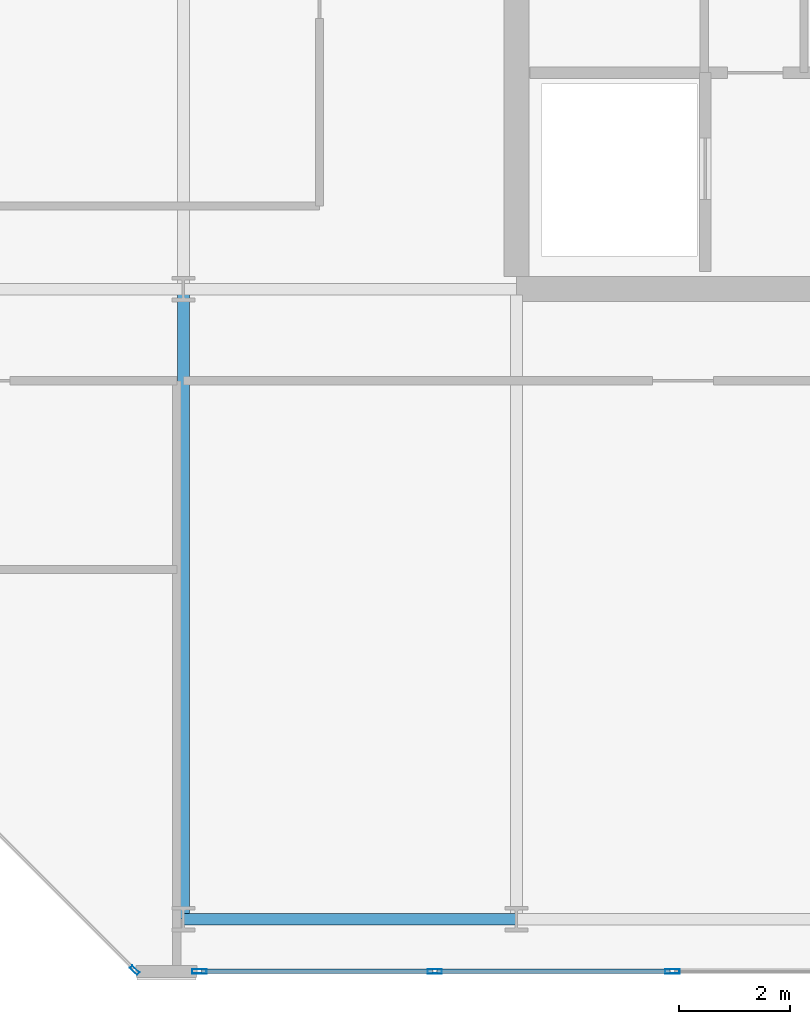
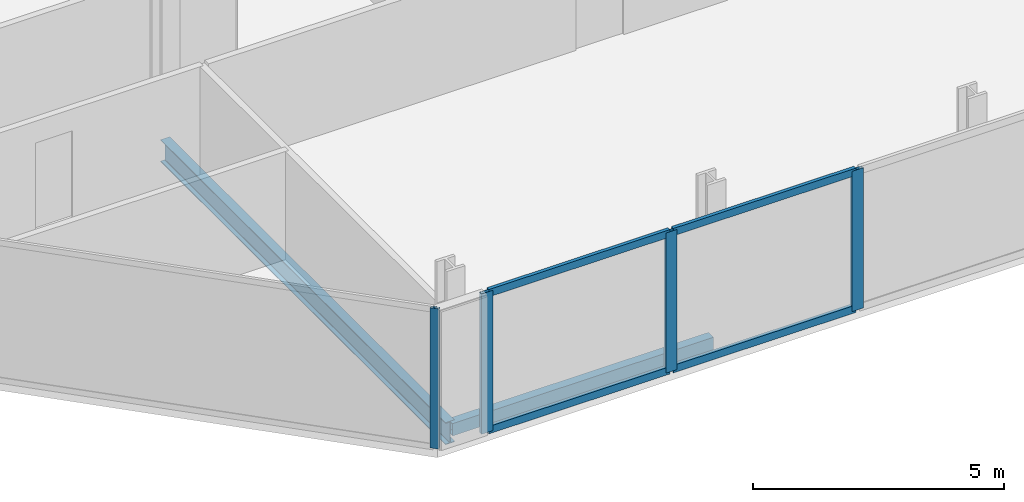
# One storey, part 2 of 17: 8 members, 2 beams, 2 elements without a shape of their own.
"""IFC4 building model written with IfcOpenShell, lengths in metres."""

from ifc_helpers import new_model, si_unit, direction, frame, origin, origin_2d, place, context, subcontext, project, spatial, hollow_rectangle, i_section, extrude, material, layer, layer_set, material_profile, profile_set, type_object, element, aggregate, save


model = new_model("IFC4")

# Units and contexts
model_context = context("Model", 3, precision=1e-05, world=origin(), true_north=direction((0.0, 1.0)))
body_context = subcontext(model_context, "Body", "Model", "MODEL_VIEW")
ifc_project = project(units=[si_unit("LENGTHUNIT", "METRE"), si_unit("AREAUNIT", "SQUARE_METRE"), si_unit("VOLUMEUNIT", "CUBIC_METRE"), si_unit("PLANEANGLEUNIT", "RADIAN"), si_unit("MASSUNIT", "GRAM", prefix="KILO")], contexts=[model_context])

# Site, building, storey
site_placement = place(None, origin())
site = spatial("IfcSite", under=ifc_project, at=site_placement, CompositionType="ELEMENT")
building_placement = place(site_placement, origin())
building = spatial("IfcBuilding", under=site, at=building_placement, Name="Tanjung Sevakor Pilgrim Tower", CompositionType="ELEMENT")
storey_placement = place(building_placement, frame((0.0, 0.0, 264.330078125)))
storey = spatial("IfcBuildingStorey", under=building, at=storey_placement, Name="L74", CompositionType="ELEMENT", Elevation=264.330078125)

# Beams
ifc_material_1 = material(Name="Steel S355J2", Category="steel")
ifc_material_profile_1 = material_profile(ifc_material_1, i_section(OverallWidth=0.210693359375, OverallDepth=0.53955078125, WebThickness=0.01171875, FlangeThickness=0.018798828125, FilletRadius=0.0126953125, at=origin_2d()))
ifc_profile_set_1 = profile_set([ifc_material_profile_1], Name="Steel S355J2")
beam_type_1 = type_object("IfcBeamType", Name="BM-B-G6-UB_533x210x109", PredefinedType="BEAM", material=ifc_profile_set_1)
beam_1_placement = place(storey_placement, frame((72.0, 13.25, -0.48974609375), z_axis=(0.0, 1.0, 0.0), x_axis=(-1.0, 0.0, 0.0)))
element("IfcBeam", 1, at=beam_1_placement, inside=storey, type_object=beam_type_1, Name="L74 EAST Girder 002", PredefinedType="BEAM", context=body_context, shape_type="SweptSolid", body=[
    extrude(i_section(OverallWidth=0.210693359375, OverallDepth=0.53955078125, WebThickness=0.01171875, FlangeThickness=0.018798828125, FilletRadius=0.0126953125, at=origin_2d()), origin(), (0.0, 0.0, 1.0), 11.35009765625),
])
ifc_material_2 = material(Name="Steel S355J2", Category="steel")
ifc_material_profile_2 = material_profile(ifc_material_2, hollow_rectangle(XDim=0.199951171875, YDim=0.300048828125, WallThickness=0.012451171875, at=origin_2d()))
ifc_profile_set_2 = profile_set([ifc_material_profile_2], Name="Steel S355J2")
beam_type_2 = type_object("IfcBeamType", Name="BM-B-SP3-RHS_300x200x12.5", PredefinedType="SPANDREL", material=ifc_profile_set_2)
beam_2_placement = place(storey_placement, frame((72.0, 13.25, -0.3701171875), z_axis=(1.0, 0.0, 0.0), x_axis=(0.0, 1.0, 0.0)))
element("IfcBeam", 2, at=beam_2_placement, inside=storey, type_object=beam_type_2, Name="L74 Spandrel EAST S-01", PredefinedType="SPANDREL", context=body_context, shape_type="SweptSolid", body=[
    extrude(hollow_rectangle(XDim=0.199951171875, YDim=0.300048828125, WallThickness=0.012451171875, at=origin_2d()), origin(), (0.0, 0.0, 1.0), 6.0),
])

# Curtain wall, member
ifc_material_3 = material(Name="Aluminium 6063-T6 and Low-E Glass", Category="aluminium")
ifc_layer_1 = layer(ifc_material_3, 0.179931640625)
ifc_layer_set_1 = layer_set([ifc_layer_1], Name="CW-SYS-CHAM")
curtain_wall_type_1 = type_object("IfcCurtainWallType", Name="CW-SYS-CHAM", PredefinedType="NOTDEFINED", material=ifc_layer_set_1)
curtain_wall_1_placement = place(storey_placement, origin())
curtain_wall_1 = element("IfcCurtainWall", 3, at=curtain_wall_1_placement, inside=storey, type_object=curtain_wall_type_1, Name="L74 Curtain Wall CW-CHM-L74-EAST-7", PredefinedType="NOTDEFINED")
ifc_material_4 = material(Name="Aluminium 6063-T6", Category="aluminium")
ifc_material_profile_3 = material_profile(ifc_material_4, hollow_rectangle(XDim=0.06494140625, YDim=0.179931640625, WallThickness=0.00390625, at=origin_2d()))
ifc_profile_set_3 = profile_set([ifc_material_profile_3], Name="Aluminium 6063-T6")
member_type_1 = type_object("IfcMemberType", Name="TYPE-CWM-1", PredefinedType="MULLION", material=ifc_profile_set_3)
member_1_placement = place(storey_placement, frame((71.12255859375, 12.3330078125, 0.0), z_axis=(0.0, 0.0, 1.0), x_axis=(0.707106781187, 0.707106781187, 0.0)))
member_1 = element("IfcMember", 4, at=member_1_placement, type_object=member_type_1, Name="CW-CHM mullion 2", PredefinedType="MULLION", context=body_context, shape_type="SweptSolid", body=[
    extrude(hollow_rectangle(XDim=0.06494140625, YDim=0.179931640625, WallThickness=0.00390625, at=origin_2d()), origin(), (0.0, 0.0, 1.0), 3.409912109375),
])
aggregate(curtain_wall_1, [member_1])

# Curtain wall, members
ifc_material_5 = material(Name="Aluminium 6063-T6 and Low-E Glass", Category="aluminium")
ifc_layer_2 = layer(ifc_material_5, 0.219970703125)
ifc_layer_set_2 = layer_set([ifc_layer_2], Name="CW-SYS-CRNE")
curtain_wall_type_2 = type_object("IfcCurtainWallType", Name="CW-SYS-CRNE", PredefinedType="NOTDEFINED", material=ifc_layer_set_2)
curtain_wall_2_placement = place(storey_placement, origin())
curtain_wall_2 = element("IfcCurtainWall", 5, at=curtain_wall_2_placement, inside=storey, type_object=curtain_wall_type_2, Name="L74 Curtain Wall CW-CRN-L74-EAST-0-1", PredefinedType="NOTDEFINED")
ifc_material_6 = material(Name="Aluminium 6063-T6", Category="aluminium")
ifc_material_profile_4 = material_profile(ifc_material_6, hollow_rectangle(XDim=0.080078125, YDim=0.260009765625, WallThickness=0.0048828125, at=origin_2d()))
ifc_profile_set_4 = profile_set([ifc_material_profile_4], Name="Aluminium 6063-T6")
member_type_2 = type_object("IfcMemberType", Name="TYPE-CWM-3", PredefinedType="MULLION", material=ifc_profile_set_4)
member_2_placement = place(storey_placement, frame((72.28564453125, 12.31005859375, 0.0), z_axis=(0.0, 0.0, 1.0), x_axis=(0.0, 1.0, 0.0)))
member_2 = element("IfcMember", 6, at=member_2_placement, type_object=member_type_2, Name="CW-CRE mullion 1", PredefinedType="MULLION", context=body_context, shape_type="SweptSolid", body=[
    extrude(hollow_rectangle(XDim=0.080078125, YDim=0.260009765625, WallThickness=0.0048828125, at=origin_2d()), origin(), (0.0, 0.0, 1.0), 3.409912109375),
])
member_3_placement = place(storey_placement, frame((76.52734375, 12.31005859375, 0.0), z_axis=(0.0, 0.0, 1.0), x_axis=(0.0, 1.0, 0.0)))
member_3 = element("IfcMember", 7, at=member_3_placement, type_object=member_type_2, Name="CW-CRE mullion 2", PredefinedType="MULLION", context=body_context, shape_type="SweptSolid", body=[
    extrude(hollow_rectangle(XDim=0.080078125, YDim=0.260009765625, WallThickness=0.0048828125, at=origin_2d()), origin(), (0.0, 0.0, 1.0), 3.409912109375),
])
member_4_placement = place(storey_placement, frame((80.80908203125, 12.31005859375, 0.0), z_axis=(0.0, 0.0, 1.0), x_axis=(0.0, 1.0, 0.0)))
member_4 = element("IfcMember", 8, at=member_4_placement, type_object=member_type_2, Name="CW-CRE mullion 3", PredefinedType="MULLION", context=body_context, shape_type="SweptSolid", body=[
    extrude(hollow_rectangle(XDim=0.080078125, YDim=0.260009765625, WallThickness=0.0048828125, at=origin_2d()), origin(), (0.0, 0.0, 1.0), 3.409912109375),
])
ifc_material_7 = material(Name="Aluminium 6063-T6", Category="aluminium")
ifc_material_profile_5 = material_profile(ifc_material_7, hollow_rectangle(XDim=0.080078125, YDim=0.179931640625, WallThickness=0.0048828125, at=origin_2d()))
ifc_profile_set_5 = profile_set([ifc_material_profile_5], Name="Aluminium 6063-T6")
member_type_3 = type_object("IfcMemberType", Name="TYPE-CWT-3", PredefinedType="USERDEFINED", material=ifc_profile_set_5)
member_5_placement = place(storey_placement, frame((72.32568359375, 12.31005859375, 0.0400390625), z_axis=(1.0, 0.0, 0.0), x_axis=(0.0, 1.0, 0.0)))
member_5 = element("IfcMember", 9, at=member_5_placement, type_object=member_type_3, Name="CW-CRE transom 1.1", ObjectType="TRANSOM", PredefinedType="USERDEFINED", context=body_context, shape_type="SweptSolid", body=[
    extrude(hollow_rectangle(XDim=0.080078125, YDim=0.179931640625, WallThickness=0.0048828125, at=origin_2d()), origin(), (0.0, 0.0, 1.0), 4.16162109375),
])
member_6_placement = place(storey_placement, frame((72.32568359375, 12.31005859375, 3.369873046875), z_axis=(1.0, 0.0, 0.0), x_axis=(0.0, 1.0, 0.0)))
member_6 = element("IfcMember", 10, at=member_6_placement, type_object=member_type_3, Name="CW-CRE transom 1.2", ObjectType="TRANSOM", PredefinedType="USERDEFINED", context=body_context, shape_type="SweptSolid", body=[
    extrude(hollow_rectangle(XDim=0.080078125, YDim=0.179931640625, WallThickness=0.0048828125, at=origin_2d()), origin(), (0.0, 0.0, 1.0), 4.16162109375),
])
member_7_placement = place(storey_placement, frame((76.5673828125, 12.31005859375, 0.0400390625), z_axis=(1.0, 0.0, 0.0), x_axis=(0.0, 1.0, 0.0)))
member_7 = element("IfcMember", 11, at=member_7_placement, type_object=member_type_3, Name="CW-CRE transom 2.1", ObjectType="TRANSOM", PredefinedType="USERDEFINED", context=body_context, shape_type="SweptSolid", body=[
    extrude(hollow_rectangle(XDim=0.080078125, YDim=0.179931640625, WallThickness=0.0048828125, at=origin_2d()), origin(), (0.0, 0.0, 1.0), 4.20166015625),
])
member_8_placement = place(storey_placement, frame((76.5673828125, 12.31005859375, 3.369873046875), z_axis=(1.0, 0.0, 0.0), x_axis=(0.0, 1.0, 0.0)))
member_8 = element("IfcMember", 12, at=member_8_placement, type_object=member_type_3, Name="CW-CRE transom 2.2", ObjectType="TRANSOM", PredefinedType="USERDEFINED", context=body_context, shape_type="SweptSolid", body=[
    extrude(hollow_rectangle(XDim=0.080078125, YDim=0.179931640625, WallThickness=0.0048828125, at=origin_2d()), origin(), (0.0, 0.0, 1.0), 4.20166015625),
])
aggregate(curtain_wall_2, [member_2, member_3, member_4, member_5, member_6, member_7, member_8])

save(model, "model.ifc")
